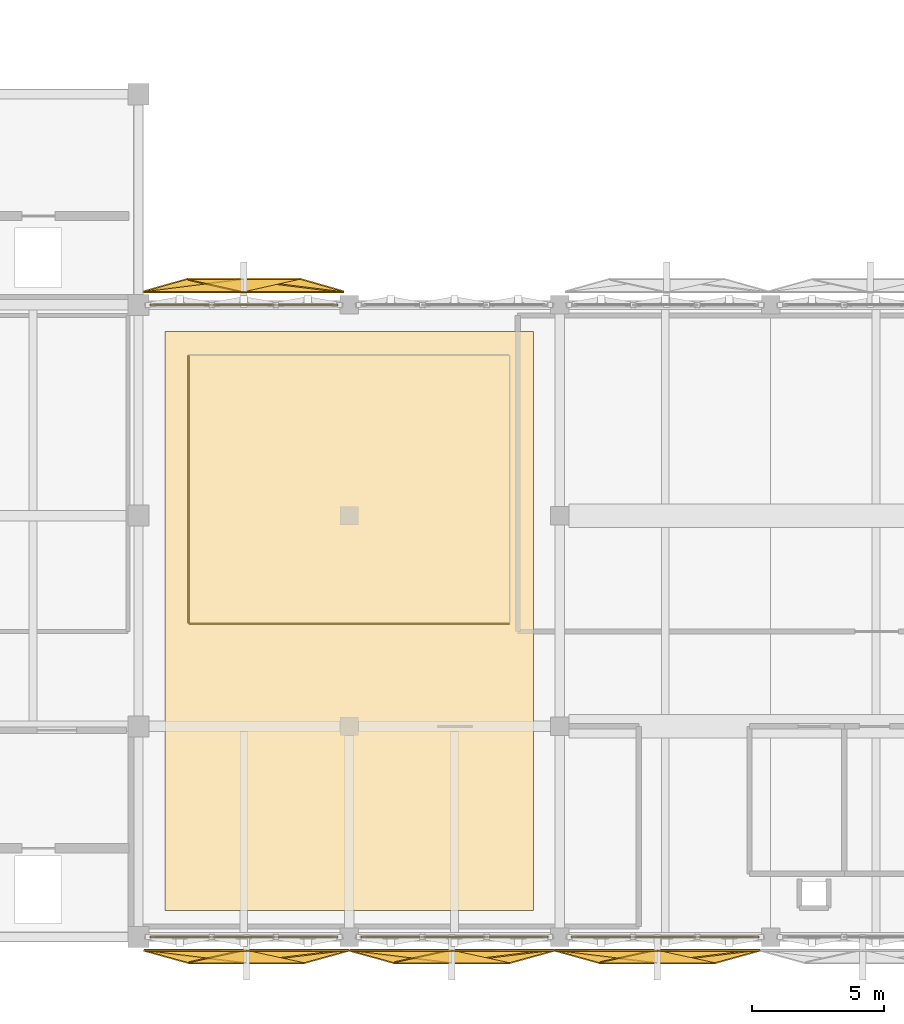
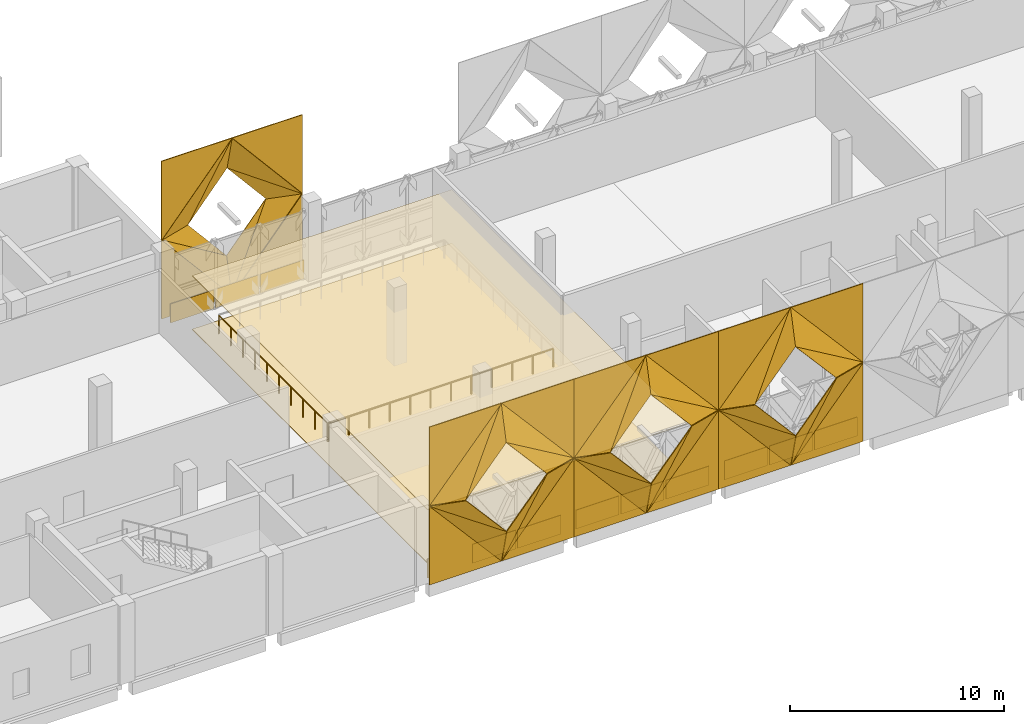
# One storey, part 30 of 37: 62 coverings, 2 railings.
"""IFC4 building model written with IfcOpenShell, lengths in metres."""

from ifc_helpers import new_model, si_unit, direction, frame, origin, origin_2d, place, context, subcontext, project, spatial, polyline, rectangle, circle, outline, extrude, material, layer, layer_set, type_object, element, save


model = new_model("IFC4")

# Units and contexts
model_context = context("Model", 3, precision=1e-05, world=origin(), true_north=direction((0.0, 1.0)))
body_context = subcontext(model_context, "Body", "Model", "MODEL_VIEW")
ifc_project = project(units=[si_unit("LENGTHUNIT", "METRE"), si_unit("AREAUNIT", "SQUARE_METRE"), si_unit("VOLUMEUNIT", "CUBIC_METRE"), si_unit("PLANEANGLEUNIT", "RADIAN"), si_unit("MASSUNIT", "GRAM", prefix="KILO")], contexts=[model_context])

# Site, building, storey
site_placement = place(None, origin())
site = spatial("IfcSite", under=ifc_project, at=site_placement, CompositionType="ELEMENT")
building_placement = place(site_placement, origin())
building = spatial("IfcBuilding", under=site, at=building_placement, Name="Qorikala Patio Media Centre", CompositionType="ELEMENT")
storey_placement = place(building_placement, frame((0.0, 0.0, 14.39990234375)))
storey = spatial("IfcBuildingStorey", under=building, at=storey_placement, Name="L03", CompositionType="ELEMENT", Elevation=14.39990234375)

# Coverings
ifc_material_1 = material(Name="Perforated Andean Timber Acoustic Ceiling", Category="wood")
ifc_layer_1 = layer(ifc_material_1, 0.0400390625)
ifc_layer_set_1 = layer_set([ifc_layer_1], Name="Perforated Andean Timber Acoustic Ceiling")
covering_type_1 = type_object("IfcCoveringType", Name="COV-CEIL-AC", PredefinedType="CEILING", material=ifc_layer_set_1)
covering_1_placement = place(storey_placement, frame((0.0, 0.0, 3.050048828125)))
element("IfcCovering", 1, at=covering_1_placement, inside=storey, type_object=covering_type_1, Name="L03 Acoustic Timber Ceiling 07", PredefinedType="CEILING", context=body_context, shape_type="SweptSolid", body=[
    extrude(outline(polyline([(44.0, 4.0), (58.0, 4.0), (58.0, 26.0), (44.0, 26.0), (44.0, 4.0)])), origin(), (0.0, 0.0, 1.0), 0.0400390625),
])
ifc_material_2 = material(Name="Golden Bronze Anodised Aluminium Panel", Category="aluminium")
ifc_layer_2 = layer(ifc_material_2, 0.044921875)
ifc_layer_set_2 = layer_set([ifc_layer_2], Name="Golden Bronze Anodised Aluminium Panel")
covering_type_2 = type_object("IfcCoveringType", Name="COV-CLAD-GOLD", PredefinedType="CLADDING", material=ifc_layer_set_2)
for number, where, z_axis, x_axis, name in (
    (2, (65.4267578125, 3.0, 0.0), (0.0, 0.0, 1.0), (-1.0, 0.0, 0.0), "L03 Golden Diamond Fold Spandrel 085"),
    (3, (63.0, 3.0, 0.0), (0.0, 0.0, 1.0), (-1.0, 0.0, 0.0), "L03 Golden Diamond Fold Spandrel 086"),
    (4, (60.5732421875, 3.0, 0.0), (0.0, 0.0, 1.0), (-1.0, 0.0, 0.0), "L03 Golden Diamond Fold Spandrel 087"),
    (5, (57.4267578125, 3.0, 0.0), (0.0, 0.0, 1.0), (-1.0, 0.0, 0.0), "L03 Golden Diamond Fold Spandrel 088"),
    (6, (55.0, 3.0, 0.0), (0.0, 0.0, 1.0), (-1.0, 0.0, 0.0), "L03 Golden Diamond Fold Spandrel 089"),
    (7, (52.5732421875, 3.0, 0.0), (0.0, 0.0, 1.0), (-1.0, 0.0, 0.0), "L03 Golden Diamond Fold Spandrel 090"),
    (8, (49.4267578125, 3.0, 0.0), (0.0, 0.0, 1.0), (-1.0, 0.0, 0.0), "L03 Golden Diamond Fold Spandrel 091"),
    (9, (47.0, 3.0, 0.0), (0.0, 0.0, 1.0), (-1.0, 0.0, 0.0), "L03 Golden Diamond Fold Spandrel 092"),
    (10, (44.5732421875, 3.0, 0.0), (0.0, 0.0, 1.0), (-1.0, 0.0, 0.0), "L03 Golden Diamond Fold Spandrel 093"),
    (11, (44.5732421875, 27.0, 0.0), (0.0, 0.0, 1.0), (1.0, 0.0, 0.0), "L03 Golden Diamond Fold Spandrel 094"),
    (12, (47.0, 27.0, 0.0), (0.0, 0.0, 1.0), (1.0, 0.0, 0.0), "L03 Golden Diamond Fold Spandrel 095"),
    (13, (49.4267578125, 27.0, 0.0), (0.0, 0.0, 1.0), (1.0, 0.0, 0.0), "L03 Golden Diamond Fold Spandrel 096"),
):
    element("IfcCovering", number, at=place(storey_placement, frame(where, z_axis=z_axis, x_axis=x_axis)), inside=storey, type_object=covering_type_2, Name=name, PredefinedType="CLADDING", context=body_context, shape_type="SweptSolid", body=[
        extrude(rectangle(XDim=2.32666015625, YDim=0.044921875, at=origin_2d()), origin(), (0.0, 0.0, 1.0), 1.077880859375),
    ])
covering_2_placement = place(storey_placement, frame((47.10009765625, 2.5, 9.0), z_axis=(-0.259956156203, -0.938968048279, 0.22530379749), x_axis=(-0.654944585876, 0.0, -0.755676908098)))
element("IfcCovering", 14, at=covering_2_placement, inside=storey, type_object=covering_type_2, Name="Golden Folded Diamond Facet S-2.1.TLA", PredefinedType="CLADDING", context=body_context, shape_type="SweptSolid", body=[
    extrude(outline(polyline([(0.0, 0.0), (5.954925910503226, 0.0), (4.830998787915266, 1.3810803066312252), (0.0, 0.0)])), origin(), (0.0, 0.0, -1.0), 0.044921875),
])
covering_3_placement = place(storey_placement, frame((47.10009765625, 2.5, 9.0), z_axis=(-0.259960295692, -0.938966460381, 0.225305638952), x_axis=(-0.434683585743, -0.094555584379, -0.895605617305)))
element("IfcCovering", 15, at=covering_3_placement, inside=storey, type_object=covering_type_2, Name="Golden Folded Diamond Facet S-2.1.TLB", PredefinedType="CLADDING", context=body_context, shape_type="SweptSolid", body=[
    extrude(outline(polyline([(0.0, 0.0), (5.024533023297128, 0.0), (1.8182047664907954, 0.9166088951760534), (0.0, 0.0)])), origin(), (0.0, 0.0, -1.0), 0.044921875),
])
covering_4_placement = place(storey_placement, frame((51.0, 2.5, 4.5), z_axis=(0.259973591034, -0.938962979761, 0.225304803775), x_axis=(-0.654921173069, 0.0, 0.755697199324)))
element("IfcCovering", 16, at=covering_4_placement, inside=storey, type_object=covering_type_2, Name="Golden Folded Diamond Facet S-2.1.TRA", PredefinedType="CLADDING", context=body_context, shape_type="SweptSolid", body=[
    extrude(outline(polyline([(0.0, 0.0), (5.9547660147806605, -4.440892098500626e-16), (4.458500319829892, 1.3810247679600853), (0.0, 0.0)])), origin(), (0.0, 0.0, -1.0), 0.044921875),
])
covering_5_placement = place(storey_placement, frame((51.0, 2.5, 4.5), z_axis=(0.25995773344, -0.938973745299, 0.225278233445), x_axis=(-0.83554610606, -0.10178870179, 0.539909033852)))
element("IfcCovering", 17, at=covering_5_placement, inside=storey, type_object=covering_type_2, Name="Golden Folded Diamond Facet S-2.1.TRB", PredefinedType="CLADDING", context=body_context, shape_type="SweptSolid", body=[
    extrude(outline(polyline([(0.0, 0.0), (4.667489101395145, -4.440892098500626e-16), (1.4822105452103993, 0.9867354710967576), (0.0, 0.0)])), origin(), (0.0, 0.0, -1.0), 0.044921875),
])
covering_6_placement = place(storey_placement, frame((47.10009765625, 2.5, 0.0), z_axis=(-0.259956982212, 0.938971031843, 0.225290409823), x_axis=(0.654921173069, 0.0, 0.755697199324)))
element("IfcCovering", 18, at=covering_6_placement, inside=storey, type_object=covering_type_2, Name="Golden Folded Diamond Facet S-2.1.BRA", PredefinedType="CLADDING", context=body_context, shape_type="SweptSolid", body=[
    extrude(outline(polyline([(0.0, 0.0), (5.9547660147806605, -4.440892098500626e-16), (4.830879070078474, -1.38111300253869), (0.0, 0.0)])), origin(), (0.0, 0.0, -1.0), 0.044921875),
])
covering_7_placement = place(storey_placement, frame((47.10009765625, 2.5, 0.0), z_axis=(-0.259987393467, 0.938959366186, 0.225303936695), x_axis=(0.434644175798, -0.094557581454, 0.895624533069)))
element("IfcCovering", 19, at=covering_7_placement, inside=storey, type_object=covering_type_2, Name="Golden Folded Diamond Facet S-2.1.BRB", PredefinedType="CLADDING", context=body_context, shape_type="SweptSolid", body=[
    extrude(outline(polyline([(0.0, 0.0), (5.02442690418556, -2.220446049250313e-16), (1.8182431681390123, -0.9165327168855022), (0.0, 0.0)])), origin(), (0.0, 0.0, -1.0), 0.044921875),
])
covering_8_placement = place(storey_placement, frame((43.199951171875, 2.5, 4.5), z_axis=(0.259958417044, 0.938966952181, 0.22530575696), x_axis=(0.654944585876, 0.0, -0.755676908098)))
element("IfcCovering", 20, at=covering_8_placement, inside=storey, type_object=covering_type_2, Name="Golden Folded Diamond Facet S-2.1.BLA", PredefinedType="CLADDING", context=body_context, shape_type="SweptSolid", body=[
    extrude(outline(polyline([(0.0, 0.0), (5.954925910503226, 0.0), (4.458700391784378, -1.3810682954655882), (0.0, 0.0)])), origin(), (0.0, 0.0, -1.0), 0.044921875),
])
covering_9_placement = place(storey_placement, frame((43.199951171875, 2.5, 4.5), z_axis=(0.259956258476, 0.938968417692, 0.225302139927), x_axis=(0.835561894446, -0.101784253308, -0.539885438152)))
element("IfcCovering", 21, at=covering_9_placement, inside=storey, type_object=covering_type_2, Name="Golden Folded Diamond Facet S-2.1.BLB", PredefinedType="CLADDING", context=body_context, shape_type="SweptSolid", body=[
    extrude(outline(polyline([(0.0, 0.0), (4.667693094071031, -8.881784197001252e-16), (1.4822355256344402, -0.9866979460810914), (0.0, 0.0)])), origin(), (0.0, 0.0, -1.0), 0.044921875),
])
covering_10_placement = place(storey_placement, frame((43.199951171875, 2.5, 9.0), z_axis=(0.0, 1.0, 0.0), x_axis=(1.0, 0.0, 0.0)))
element("IfcCovering", 22, at=covering_10_placement, inside=storey, type_object=covering_type_2, Name="Golden Diamond Valley Spandrel S-2.1.CTL", PredefinedType="CLADDING", context=body_context, shape_type="SweptSolid", body=[
    extrude(outline(polyline([(0.0, 0.0), (3.900146484375, 0.0), (0.0, 4.5), (0.0, 0.0)])), origin(), (0.0, 0.0, -1.0), 0.044921875),
])
covering_11_placement = place(storey_placement, frame((51.0, 2.5, 9.0), z_axis=(0.0, 1.0, 0.0), x_axis=(0.0, 0.0, -1.0)))
element("IfcCovering", 23, at=covering_11_placement, inside=storey, type_object=covering_type_2, Name="Golden Diamond Valley Spandrel S-2.1.CTR", PredefinedType="CLADDING", context=body_context, shape_type="SweptSolid", body=[
    extrude(outline(polyline([(0.0, 0.0), (4.5, 0.0), (0.0, 3.89990234375), (0.0, 0.0)])), origin(), (0.0, 0.0, -1.0), 0.044921875),
])
covering_12_placement = place(storey_placement, frame((51.0, 2.5, 0.0), z_axis=(0.0, 1.0, 0.0), x_axis=(-1.0, 0.0, 0.0)))
element("IfcCovering", 24, at=covering_12_placement, inside=storey, type_object=covering_type_2, Name="Golden Diamond Valley Spandrel S-2.1.CBR", PredefinedType="CLADDING", context=body_context, shape_type="SweptSolid", body=[
    extrude(outline(polyline([(0.0, 0.0), (3.89990234375, 0.0), (0.0, 4.5), (0.0, 0.0)])), origin(), (0.0, 0.0, -1.0), 0.044921875),
])
covering_13_placement = place(storey_placement, frame((43.199951171875, 2.5, 0.0), z_axis=(0.0, 1.0, 0.0), x_axis=(0.0, 0.0, 1.0)))
element("IfcCovering", 25, at=covering_13_placement, inside=storey, type_object=covering_type_2, Name="Golden Diamond Valley Spandrel S-2.1.CBL", PredefinedType="CLADDING", context=body_context, shape_type="SweptSolid", body=[
    extrude(outline(polyline([(0.0, 0.0), (4.5, 0.0), (0.0, 3.900146484375), (0.0, 0.0)])), origin(), (0.0, 0.0, -1.0), 0.044921875),
])
covering_14_placement = place(storey_placement, frame((54.89990234375, 2.5, 9.0), z_axis=(-0.259956982212, -0.938971031843, 0.225290409823), x_axis=(-0.654921173069, 0.0, -0.755697199324)))
element("IfcCovering", 26, at=covering_14_placement, inside=storey, type_object=covering_type_2, Name="Golden Folded Diamond Facet S-2.2.TLA", PredefinedType="CLADDING", context=body_context, shape_type="SweptSolid", body=[
    extrude(outline(polyline([(0.0, 0.0), (5.9547660147806605, 4.440892098500626e-16), (4.830879070078474, 1.38111300253869), (0.0, 0.0)])), origin(), (0.0, 0.0, -1.0), 0.044921875),
])
covering_15_placement = place(storey_placement, frame((54.89990234375, 2.5, 9.0), z_axis=(-0.259987393467, -0.938959366186, 0.225303936695), x_axis=(-0.434644175798, -0.094557581454, -0.895624533069)))
element("IfcCovering", 27, at=covering_15_placement, inside=storey, type_object=covering_type_2, Name="Golden Folded Diamond Facet S-2.2.TLB", PredefinedType="CLADDING", context=body_context, shape_type="SweptSolid", body=[
    extrude(outline(polyline([(0.0, 0.0), (5.02442690418556, 2.220446049250313e-16), (1.8182431681390123, 0.9165327168855022), (0.0, 0.0)])), origin(), (0.0, 0.0, -1.0), 0.044921875),
])
covering_16_placement = place(storey_placement, frame((58.800048828125, 2.5, 4.5), z_axis=(0.259958417044, -0.938966952181, 0.22530575696), x_axis=(-0.654944585876, 0.0, 0.755676908098)))
element("IfcCovering", 28, at=covering_16_placement, inside=storey, type_object=covering_type_2, Name="Golden Folded Diamond Facet S-2.2.TRA", PredefinedType="CLADDING", context=body_context, shape_type="SweptSolid", body=[
    extrude(outline(polyline([(0.0, 0.0), (5.954925910503226, 0.0), (4.458700391784378, 1.3810682954655882), (0.0, 0.0)])), origin(), (0.0, 0.0, -1.0), 0.044921875),
])
covering_17_placement = place(storey_placement, frame((58.800048828125, 2.5, 4.5), z_axis=(0.259956258476, -0.938968417692, 0.225302139927), x_axis=(-0.835561894446, -0.101784253308, 0.539885438152)))
element("IfcCovering", 29, at=covering_17_placement, inside=storey, type_object=covering_type_2, Name="Golden Folded Diamond Facet S-2.2.TRB", PredefinedType="CLADDING", context=body_context, shape_type="SweptSolid", body=[
    extrude(outline(polyline([(0.0, 0.0), (4.667693094071031, 8.881784197001252e-16), (1.4822355256344402, 0.9866979460810914), (0.0, 0.0)])), origin(), (0.0, 0.0, -1.0), 0.044921875),
])
covering_18_placement = place(storey_placement, frame((54.89990234375, 2.5, 0.0), z_axis=(-0.259956156203, 0.938968048279, 0.22530379749), x_axis=(0.654944585876, 0.0, 0.755676908098)))
element("IfcCovering", 30, at=covering_18_placement, inside=storey, type_object=covering_type_2, Name="Golden Folded Diamond Facet S-2.2.BRA", PredefinedType="CLADDING", context=body_context, shape_type="SweptSolid", body=[
    extrude(outline(polyline([(0.0, 0.0), (5.954925910503226, 0.0), (4.830998787915266, -1.3810803066312252), (0.0, 0.0)])), origin(), (0.0, 0.0, -1.0), 0.044921875),
])
covering_19_placement = place(storey_placement, frame((54.89990234375, 2.5, 0.0), z_axis=(-0.259960295692, 0.938966460381, 0.225305638952), x_axis=(0.434683585743, -0.094555584379, 0.895605617305)))
element("IfcCovering", 31, at=covering_19_placement, inside=storey, type_object=covering_type_2, Name="Golden Folded Diamond Facet S-2.2.BRB", PredefinedType="CLADDING", context=body_context, shape_type="SweptSolid", body=[
    extrude(outline(polyline([(0.0, 0.0), (5.024533023297128, 0.0), (1.8182047664907954, -0.9166088951760534), (0.0, 0.0)])), origin(), (0.0, 0.0, -1.0), 0.044921875),
])
covering_20_placement = place(storey_placement, frame((51.0, 2.5, 4.5), z_axis=(0.259973591034, 0.938962979761, 0.225304803775), x_axis=(0.654921173069, 0.0, -0.755697199324)))
element("IfcCovering", 32, at=covering_20_placement, inside=storey, type_object=covering_type_2, Name="Golden Folded Diamond Facet S-2.2.BLA", PredefinedType="CLADDING", context=body_context, shape_type="SweptSolid", body=[
    extrude(outline(polyline([(0.0, 0.0), (5.9547660147806605, 4.440892098500626e-16), (4.458500319829892, -1.3810247679600853), (0.0, 0.0)])), origin(), (0.0, 0.0, -1.0), 0.044921875),
])
covering_21_placement = place(storey_placement, frame((51.0, 2.5, 4.5), z_axis=(0.25995773344, 0.938973745299, 0.225278233445), x_axis=(0.83554610606, -0.10178870179, -0.539909033852)))
element("IfcCovering", 33, at=covering_21_placement, inside=storey, type_object=covering_type_2, Name="Golden Folded Diamond Facet S-2.2.BLB", PredefinedType="CLADDING", context=body_context, shape_type="SweptSolid", body=[
    extrude(outline(polyline([(0.0, 0.0), (4.667489101395145, 4.440892098500626e-16), (1.4822105452103993, -0.9867354710967576), (0.0, 0.0)])), origin(), (0.0, 0.0, -1.0), 0.044921875),
])
covering_22_placement = place(storey_placement, frame((51.0, 2.5, 9.0), z_axis=(0.0, 1.0, 0.0), x_axis=(1.0, 0.0, 0.0)))
element("IfcCovering", 34, at=covering_22_placement, inside=storey, type_object=covering_type_2, Name="Golden Diamond Valley Spandrel S-2.2.CTL", PredefinedType="CLADDING", context=body_context, shape_type="SweptSolid", body=[
    extrude(outline(polyline([(0.0, 0.0), (3.89990234375, 0.0), (0.0, 4.5), (0.0, 0.0)])), origin(), (0.0, 0.0, -1.0), 0.044921875),
])
covering_23_placement = place(storey_placement, frame((58.800048828125, 2.5, 9.0), z_axis=(0.0, 1.0, 0.0), x_axis=(0.0, 0.0, -1.0)))
element("IfcCovering", 35, at=covering_23_placement, inside=storey, type_object=covering_type_2, Name="Golden Diamond Valley Spandrel S-2.2.CTR", PredefinedType="CLADDING", context=body_context, shape_type="SweptSolid", body=[
    extrude(outline(polyline([(0.0, 0.0), (4.5, 0.0), (0.0, 3.900146484375), (0.0, 0.0)])), origin(), (0.0, 0.0, -1.0), 0.044921875),
])
covering_24_placement = place(storey_placement, frame((58.800048828125, 2.5, 0.0), z_axis=(0.0, 1.0, 0.0), x_axis=(-1.0, 0.0, 0.0)))
element("IfcCovering", 36, at=covering_24_placement, inside=storey, type_object=covering_type_2, Name="Golden Diamond Valley Spandrel S-2.2.CBR", PredefinedType="CLADDING", context=body_context, shape_type="SweptSolid", body=[
    extrude(outline(polyline([(0.0, 0.0), (3.900146484375, 0.0), (0.0, 4.5), (0.0, 0.0)])), origin(), (0.0, 0.0, -1.0), 0.044921875),
])
covering_25_placement = place(storey_placement, frame((51.0, 2.5, 0.0), z_axis=(0.0, 1.0, 0.0), x_axis=(0.0, 0.0, 1.0)))
element("IfcCovering", 37, at=covering_25_placement, inside=storey, type_object=covering_type_2, Name="Golden Diamond Valley Spandrel S-2.2.CBL", PredefinedType="CLADDING", context=body_context, shape_type="SweptSolid", body=[
    extrude(outline(polyline([(0.0, 0.0), (4.5, 0.0), (0.0, 3.89990234375), (0.0, 0.0)])), origin(), (0.0, 0.0, -1.0), 0.044921875),
])
covering_26_placement = place(storey_placement, frame((62.699951171875, 2.5, 9.0), z_axis=(-0.259956982212, -0.938971031843, 0.225290409823), x_axis=(-0.654921173069, 0.0, -0.755697199324)))
element("IfcCovering", 38, at=covering_26_placement, inside=storey, type_object=covering_type_2, Name="Golden Folded Diamond Facet S-2.3.TLA", PredefinedType="CLADDING", context=body_context, shape_type="SweptSolid", body=[
    extrude(outline(polyline([(0.0, 0.0), (5.9547660147806605, 4.440892098500626e-16), (4.830879070078474, 1.38111300253869), (0.0, 0.0)])), origin(), (0.0, 0.0, -1.0), 0.044921875),
])
covering_27_placement = place(storey_placement, frame((62.699951171875, 2.5, 9.0), z_axis=(-0.259987393467, -0.938959366186, 0.225303936695), x_axis=(-0.434644175798, -0.094557581454, -0.895624533069)))
element("IfcCovering", 39, at=covering_27_placement, inside=storey, type_object=covering_type_2, Name="Golden Folded Diamond Facet S-2.3.TLB", PredefinedType="CLADDING", context=body_context, shape_type="SweptSolid", body=[
    extrude(outline(polyline([(0.0, 0.0), (5.02442690418556, 2.220446049250313e-16), (1.8182431681390123, 0.9165327168855022), (0.0, 0.0)])), origin(), (0.0, 0.0, -1.0), 0.044921875),
])
covering_28_placement = place(storey_placement, frame((66.60009765625, 2.5, 4.5), z_axis=(0.259958417044, -0.938966952181, 0.22530575696), x_axis=(-0.654944585876, 0.0, 0.755676908098)))
element("IfcCovering", 40, at=covering_28_placement, inside=storey, type_object=covering_type_2, Name="Golden Folded Diamond Facet S-2.3.TRA", PredefinedType="CLADDING", context=body_context, shape_type="SweptSolid", body=[
    extrude(outline(polyline([(0.0, 0.0), (5.954925910503226, 0.0), (4.458700391784378, 1.3810682954655882), (0.0, 0.0)])), origin(), (0.0, 0.0, -1.0), 0.044921875),
])
covering_29_placement = place(storey_placement, frame((66.60009765625, 2.5, 4.5), z_axis=(0.259956258476, -0.938968417692, 0.225302139927), x_axis=(-0.835561894446, -0.101784253308, 0.539885438152)))
element("IfcCovering", 41, at=covering_29_placement, inside=storey, type_object=covering_type_2, Name="Golden Folded Diamond Facet S-2.3.TRB", PredefinedType="CLADDING", context=body_context, shape_type="SweptSolid", body=[
    extrude(outline(polyline([(0.0, 0.0), (4.667693094071031, 8.881784197001252e-16), (1.4822355256344402, 0.9866979460810914), (0.0, 0.0)])), origin(), (0.0, 0.0, -1.0), 0.044921875),
])
covering_30_placement = place(storey_placement, frame((62.699951171875, 2.5, 0.0), z_axis=(-0.259956156203, 0.938968048279, 0.22530379749), x_axis=(0.654944585876, 0.0, 0.755676908098)))
element("IfcCovering", 42, at=covering_30_placement, inside=storey, type_object=covering_type_2, Name="Golden Folded Diamond Facet S-2.3.BRA", PredefinedType="CLADDING", context=body_context, shape_type="SweptSolid", body=[
    extrude(outline(polyline([(0.0, 0.0), (5.954925910503226, 0.0), (4.830998787915266, -1.3810803066312252), (0.0, 0.0)])), origin(), (0.0, 0.0, -1.0), 0.044921875),
])
covering_31_placement = place(storey_placement, frame((62.699951171875, 2.5, 0.0), z_axis=(-0.259960295692, 0.938966460381, 0.225305638952), x_axis=(0.434683585743, -0.094555584379, 0.895605617305)))
element("IfcCovering", 43, at=covering_31_placement, inside=storey, type_object=covering_type_2, Name="Golden Folded Diamond Facet S-2.3.BRB", PredefinedType="CLADDING", context=body_context, shape_type="SweptSolid", body=[
    extrude(outline(polyline([(0.0, 0.0), (5.024533023297128, 0.0), (1.8182047664907954, -0.9166088951760534), (0.0, 0.0)])), origin(), (0.0, 0.0, -1.0), 0.044921875),
])
covering_32_placement = place(storey_placement, frame((58.800048828125, 2.5, 4.5), z_axis=(0.259973591034, 0.938962979761, 0.225304803775), x_axis=(0.654921173069, 0.0, -0.755697199324)))
element("IfcCovering", 44, at=covering_32_placement, inside=storey, type_object=covering_type_2, Name="Golden Folded Diamond Facet S-2.3.BLA", PredefinedType="CLADDING", context=body_context, shape_type="SweptSolid", body=[
    extrude(outline(polyline([(0.0, 0.0), (5.9547660147806605, 4.440892098500626e-16), (4.458500319829892, -1.3810247679600853), (0.0, 0.0)])), origin(), (0.0, 0.0, -1.0), 0.044921875),
])
covering_33_placement = place(storey_placement, frame((58.800048828125, 2.5, 4.5), z_axis=(0.25995773344, 0.938973745299, 0.225278233445), x_axis=(0.83554610606, -0.10178870179, -0.539909033852)))
element("IfcCovering", 45, at=covering_33_placement, inside=storey, type_object=covering_type_2, Name="Golden Folded Diamond Facet S-2.3.BLB", PredefinedType="CLADDING", context=body_context, shape_type="SweptSolid", body=[
    extrude(outline(polyline([(0.0, 0.0), (4.667489101395145, 4.440892098500626e-16), (1.4822105452103993, -0.9867354710967576), (0.0, 0.0)])), origin(), (0.0, 0.0, -1.0), 0.044921875),
])
covering_34_placement = place(storey_placement, frame((58.800048828125, 2.5, 9.0), z_axis=(0.0, 1.0, 0.0), x_axis=(1.0, 0.0, 0.0)))
element("IfcCovering", 46, at=covering_34_placement, inside=storey, type_object=covering_type_2, Name="Golden Diamond Valley Spandrel S-2.3.CTL", PredefinedType="CLADDING", context=body_context, shape_type="SweptSolid", body=[
    extrude(outline(polyline([(0.0, 0.0), (3.89990234375, 0.0), (0.0, 4.5), (0.0, 0.0)])), origin(), (0.0, 0.0, -1.0), 0.044921875),
])
covering_35_placement = place(storey_placement, frame((66.60009765625, 2.5, 9.0), z_axis=(0.0, 1.0, 0.0), x_axis=(0.0, 0.0, -1.0)))
element("IfcCovering", 47, at=covering_35_placement, inside=storey, type_object=covering_type_2, Name="Golden Diamond Valley Spandrel S-2.3.CTR", PredefinedType="CLADDING", context=body_context, shape_type="SweptSolid", body=[
    extrude(outline(polyline([(0.0, 0.0), (4.5, 0.0), (0.0, 3.900146484375), (0.0, 0.0)])), origin(), (0.0, 0.0, -1.0), 0.044921875),
])
covering_36_placement = place(storey_placement, frame((66.60009765625, 2.5, 0.0), z_axis=(0.0, 1.0, 0.0), x_axis=(-1.0, 0.0, 0.0)))
element("IfcCovering", 48, at=covering_36_placement, inside=storey, type_object=covering_type_2, Name="Golden Diamond Valley Spandrel S-2.3.CBR", PredefinedType="CLADDING", context=body_context, shape_type="SweptSolid", body=[
    extrude(outline(polyline([(0.0, 0.0), (3.900146484375, 0.0), (0.0, 4.5), (0.0, 0.0)])), origin(), (0.0, 0.0, -1.0), 0.044921875),
])
covering_37_placement = place(storey_placement, frame((58.800048828125, 2.5, 0.0), z_axis=(0.0, 1.0, 0.0), x_axis=(0.0, 0.0, 1.0)))
element("IfcCovering", 49, at=covering_37_placement, inside=storey, type_object=covering_type_2, Name="Golden Diamond Valley Spandrel S-2.3.CBL", PredefinedType="CLADDING", context=body_context, shape_type="SweptSolid", body=[
    extrude(outline(polyline([(0.0, 0.0), (4.5, 0.0), (0.0, 3.89990234375), (0.0, 0.0)])), origin(), (0.0, 0.0, -1.0), 0.044921875),
])
covering_38_placement = place(storey_placement, frame((47.0, 27.5, 9.0), z_axis=(-0.266310151907, 0.937285832689, 0.224887017927), x_axis=(-0.645185657155, 0.0, -0.764025829276)))
element("IfcCovering", 50, at=covering_38_placement, inside=storey, type_object=covering_type_2, Name="Golden Folded Diamond Facet NW-2.1.TLA", PredefinedType="CLADDING", context=body_context, shape_type="SweptSolid", body=[
    extrude(outline(polyline([(0.0, 0.0), (5.889853232138657, 4.440892098500626e-16), (4.811025945552745, -1.3630230699208319), (0.0, 0.0)])), origin(), (0.0, 0.0, -1.0), 0.044921875),
])
covering_39_placement = place(storey_placement, frame((47.0, 27.5, 9.0), z_axis=(-0.266339397274, 0.937274491768, 0.224899649936), x_axis=(-0.425553575058, 0.095012305767, -0.899931562125)))
element("IfcCovering", 51, at=covering_39_placement, inside=storey, type_object=covering_type_2, Name="Golden Folded Diamond Facet NW-2.1.TLB", PredefinedType="CLADDING", context=body_context, shape_type="SweptSolid", body=[
    extrude(outline(polyline([(0.0, 0.0), (5.000380239333614, 0.0), (1.826987040002926, -0.8989765265384069), (0.0, 0.0)])), origin(), (0.0, 0.0, -1.0), 0.044921875),
])
covering_40_placement = place(storey_placement, frame((50.800048828125, 27.5, 4.5), z_axis=(0.266326124041, 0.937278058101, 0.22490050568), x_axis=(-0.645185657155, 0.0, 0.764025829276)))
element("IfcCovering", 52, at=covering_40_placement, inside=storey, type_object=covering_type_2, Name="Golden Folded Diamond Facet NW-2.1.TRA", PredefinedType="CLADDING", context=body_context, shape_type="SweptSolid", body=[
    extrude(outline(polyline([(0.0, 0.0), (5.889853232138657, 4.440892098500626e-16), (4.377097012551207, -1.3629413265820354), (0.0, 0.0)])), origin(), (0.0, 0.0, -1.0), 0.044921875),
])
covering_41_placement = place(storey_placement, frame((50.800048828125, 27.5, 4.5), z_axis=(0.266310874344, 0.937288375326, 0.224875564889), x_axis=(-0.82891133566, 0.103633887517, 0.549696293395)))
element("IfcCovering", 53, at=covering_41_placement, inside=storey, type_object=covering_type_2, Name="Golden Folded Diamond Facet NW-2.1.TRB", PredefinedType="CLADDING", context=body_context, shape_type="SweptSolid", body=[
    extrude(outline(polyline([(0.0, 0.0), (4.584385162373456, -4.440892098500626e-16), (1.4352747273060922, -0.9806562397574161), (0.0, 0.0)])), origin(), (0.0, 0.0, -1.0), 0.044921875),
])
covering_42_placement = place(storey_placement, frame((47.0, 27.5, 0.0), z_axis=(-0.266310151907, -0.937285832689, 0.224887017927), x_axis=(0.645185657155, 0.0, 0.764025829276)))
element("IfcCovering", 54, at=covering_42_placement, inside=storey, type_object=covering_type_2, Name="Golden Folded Diamond Facet NW-2.1.BRA", PredefinedType="CLADDING", context=body_context, shape_type="SweptSolid", body=[
    extrude(outline(polyline([(0.0, 0.0), (5.889853232138657, -4.440892098500626e-16), (4.811025945552745, 1.3630230699208319), (0.0, 0.0)])), origin(), (0.0, 0.0, -1.0), 0.044921875),
])
covering_43_placement = place(storey_placement, frame((47.0, 27.5, 0.0), z_axis=(-0.266339397274, -0.937274491768, 0.224899649936), x_axis=(0.425553575058, 0.095012305767, 0.899931562125)))
element("IfcCovering", 55, at=covering_43_placement, inside=storey, type_object=covering_type_2, Name="Golden Folded Diamond Facet NW-2.1.BRB", PredefinedType="CLADDING", context=body_context, shape_type="SweptSolid", body=[
    extrude(outline(polyline([(0.0, 0.0), (5.000380239333614, 0.0), (1.826987040002926, 0.8989765265384069), (0.0, 0.0)])), origin(), (0.0, 0.0, -1.0), 0.044921875),
])
covering_44_placement = place(storey_placement, frame((43.199951171875, 27.5, 4.5), z_axis=(0.266326124041, -0.937278058101, 0.22490050568), x_axis=(0.645185657155, 0.0, -0.764025829276)))
element("IfcCovering", 56, at=covering_44_placement, inside=storey, type_object=covering_type_2, Name="Golden Folded Diamond Facet NW-2.1.BLA", PredefinedType="CLADDING", context=body_context, shape_type="SweptSolid", body=[
    extrude(outline(polyline([(0.0, 0.0), (5.889853232138657, -4.440892098500626e-16), (4.377097012551207, 1.3629413265820354), (0.0, 0.0)])), origin(), (0.0, 0.0, -1.0), 0.044921875),
])
covering_45_placement = place(storey_placement, frame((43.199951171875, 27.5, 4.5), z_axis=(0.266310874344, -0.937288375326, 0.224875564889), x_axis=(0.82891133566, 0.103633887517, -0.549696293395)))
element("IfcCovering", 57, at=covering_45_placement, inside=storey, type_object=covering_type_2, Name="Golden Folded Diamond Facet NW-2.1.BLB", PredefinedType="CLADDING", context=body_context, shape_type="SweptSolid", body=[
    extrude(outline(polyline([(0.0, 0.0), (4.584385162373456, 4.440892098500626e-16), (1.4352747273060922, 0.9806562397574161), (0.0, 0.0)])), origin(), (0.0, 0.0, -1.0), 0.044921875),
])
covering_46_placement = place(storey_placement, frame((43.199951171875, 27.5, 9.0), z_axis=(0.0, 1.0, 0.0), x_axis=(1.0, 0.0, 0.0)))
element("IfcCovering", 58, at=covering_46_placement, inside=storey, type_object=covering_type_2, Name="Golden Diamond Valley Spandrel NW-2.1.CTL", PredefinedType="CLADDING", context=body_context, shape_type="SweptSolid", body=[
    extrude(outline(polyline([(0.0, 0.0), (3.800048828125, 0.0), (0.0, 4.5), (0.0, 0.0)])), origin(), (0.0, 0.0, -1.0), 0.044921875),
])
covering_47_placement = place(storey_placement, frame((50.800048828125, 27.5, 9.0), z_axis=(0.0, 1.0, 0.0), x_axis=(0.0, 0.0, -1.0)))
element("IfcCovering", 59, at=covering_47_placement, inside=storey, type_object=covering_type_2, Name="Golden Diamond Valley Spandrel NW-2.1.CTR", PredefinedType="CLADDING", context=body_context, shape_type="SweptSolid", body=[
    extrude(outline(polyline([(0.0, 0.0), (4.5, 0.0), (0.0, 3.800048828125), (0.0, 0.0)])), origin(), (0.0, 0.0, -1.0), 0.044921875),
])
covering_48_placement = place(storey_placement, frame((50.800048828125, 27.5, 0.0), z_axis=(0.0, 1.0, 0.0), x_axis=(-1.0, 0.0, 0.0)))
element("IfcCovering", 60, at=covering_48_placement, inside=storey, type_object=covering_type_2, Name="Golden Diamond Valley Spandrel NW-2.1.CBR", PredefinedType="CLADDING", context=body_context, shape_type="SweptSolid", body=[
    extrude(outline(polyline([(0.0, 0.0), (3.800048828125, 0.0), (0.0, 4.5), (0.0, 0.0)])), origin(), (0.0, 0.0, -1.0), 0.044921875),
])
covering_49_placement = place(storey_placement, frame((43.199951171875, 27.5, 0.0), z_axis=(0.0, 1.0, 0.0), x_axis=(0.0, 0.0, 1.0)))
element("IfcCovering", 61, at=covering_49_placement, inside=storey, type_object=covering_type_2, Name="Golden Diamond Valley Spandrel NW-2.1.CBL", PredefinedType="CLADDING", context=body_context, shape_type="SweptSolid", body=[
    extrude(outline(polyline([(0.0, 0.0), (4.5, 0.0), (0.0, 3.800048828125), (0.0, 0.0)])), origin(), (0.0, 0.0, -1.0), 0.044921875),
])
ifc_material_3 = material(Name="Honed Comanche Granite Flooring", Category="masonry")
ifc_layer_3 = layer(ifc_material_3, 0.034912109375)
ifc_layer_set_3 = layer_set([ifc_layer_3], Name="Honed Comanche Granite Flooring")
covering_type_3 = type_object("IfcCoveringType", Name="COV-FLOR-STONE", PredefinedType="FLOORING", material=ifc_layer_set_3)
covering_50_placement = place(storey_placement, origin())
element("IfcCovering", 62, at=covering_50_placement, inside=storey, type_object=covering_type_3, Name="L03 Honed Comanche Granite Flooring 07", PredefinedType="FLOORING", context=body_context, shape_type="SweptSolid", body=[
    extrude(outline(polyline([(44.0, 4.0), (58.0, 4.0), (58.0, 26.0), (44.0, 26.0), (44.0, 4.0)])), origin(), (0.0, 0.0, 1.0), 0.03515625),
])

# Railings
ifc_material_4 = material(Name="Wrought Bronze and Steel S355", Category="steel")
railing_type = type_object("IfcRailingType", Name="RL-GUARD-110", PredefinedType="GUARDRAIL", material=ifc_material_4)
railing_1_placement = place(storey_placement, frame((44.93994140625, 14.89990234375, 0.0)))
element("IfcRailing", 63, at=railing_1_placement, inside=storey, type_object=railing_type, Name="L03 Rising Foyer Void Guardrail S", PredefinedType="GUARDRAIL", context=body_context, shape_type="SweptSolid", body=[
    extrude(circle(Radius=0.02392578125, at=origin_2d()), frame((0.0, 0.0, 1.076171875), z_axis=(1.0, 0.0, 0.0), x_axis=(0.0, 1.0, 0.0)), (0.0, 0.0, 1.0), 12.1201171875),
    extrude(circle(Radius=0.02099609375, at=origin_2d()), origin(), (0.0, 0.0, 1.0), 1.052001953125),
    extrude(circle(Radius=0.02099609375, at=origin_2d()), frame((1.101806640625, 0.0, 0.0)), (0.0, 0.0, 1.0), 1.052001953125),
    extrude(circle(Radius=0.02099609375, at=origin_2d()), frame((2.20361328125, 0.0, 0.0)), (0.0, 0.0, 1.0), 1.052001953125),
    extrude(circle(Radius=0.02099609375, at=origin_2d()), frame((3.305419921875, 0.0, 0.0)), (0.0, 0.0, 1.0), 1.052001953125),
    extrude(circle(Radius=0.02099609375, at=origin_2d()), frame((4.4072265625, 0.0, 0.0)), (0.0, 0.0, 1.0), 1.052001953125),
    extrude(circle(Radius=0.02099609375, at=origin_2d()), frame((5.509033203125, 0.0, 0.0)), (0.0, 0.0, 1.0), 1.052001953125),
    extrude(circle(Radius=0.02099609375, at=origin_2d()), frame((6.611083984375, 0.0, 0.0)), (0.0, 0.0, 1.0), 1.052001953125),
    extrude(circle(Radius=0.02099609375, at=origin_2d()), frame((7.712890625, 0.0, 0.0)), (0.0, 0.0, 1.0), 1.052001953125),
    extrude(circle(Radius=0.02099609375, at=origin_2d()), frame((8.814697265625, 0.0, 0.0)), (0.0, 0.0, 1.0), 1.052001953125),
    extrude(circle(Radius=0.02099609375, at=origin_2d()), frame((9.91650390625, 0.0, 0.0)), (0.0, 0.0, 1.0), 1.052001953125),
    extrude(circle(Radius=0.02099609375, at=origin_2d()), frame((11.018310546875, 0.0, 0.0)), (0.0, 0.0, 1.0), 1.052001953125),
    extrude(circle(Radius=0.02099609375, at=origin_2d()), frame((12.1201171875, 0.0, 0.0)), (0.0, 0.0, 1.0), 1.052001953125),
])
railing_2_placement = place(storey_placement, frame((44.89990234375, 25.06005859375, 0.0)))
element("IfcRailing", 64, at=railing_2_placement, inside=storey, type_object=railing_type, Name="L03 Rising Foyer Void Guardrail W", PredefinedType="GUARDRAIL", context=body_context, shape_type="SweptSolid", body=[
    extrude(circle(Radius=0.02392578125, at=origin_2d()), frame((0.0, 0.0, 1.076171875), z_axis=(0.0, -1.0, 0.0), x_axis=(1.0, 0.0, 0.0)), (0.0, 0.0, 1.0), 10.1201171875),
    extrude(circle(Radius=0.02099609375, at=origin_2d()), origin(), (0.0, 0.0, 1.0), 1.052001953125),
    extrude(circle(Radius=0.02099609375, at=origin_2d()), frame((0.0, -1.12451171875, 0.0)), (0.0, 0.0, 1.0), 1.052001953125),
    extrude(circle(Radius=0.02099609375, at=origin_2d()), frame((0.0, -2.2490234375, 0.0)), (0.0, 0.0, 1.0), 1.052001953125),
    extrude(circle(Radius=0.02099609375, at=origin_2d()), frame((0.0, -3.373291015625, 0.0)), (0.0, 0.0, 1.0), 1.052001953125),
    extrude(circle(Radius=0.02099609375, at=origin_2d()), frame((0.0, -4.497802734375, 0.0)), (0.0, 0.0, 1.0), 1.052001953125),
    extrude(circle(Radius=0.02099609375, at=origin_2d()), frame((0.0, -5.622314453125, 0.0)), (0.0, 0.0, 1.0), 1.052001953125),
    extrude(circle(Radius=0.02099609375, at=origin_2d()), frame((0.0, -6.746826171875, 0.0)), (0.0, 0.0, 1.0), 1.052001953125),
    extrude(circle(Radius=0.02099609375, at=origin_2d()), frame((0.0, -7.87109375, 0.0)), (0.0, 0.0, 1.0), 1.052001953125),
    extrude(circle(Radius=0.02099609375, at=origin_2d()), frame((0.0, -8.99560546875, 0.0)), (0.0, 0.0, 1.0), 1.052001953125),
    extrude(circle(Radius=0.02099609375, at=origin_2d()), frame((0.0, -10.1201171875, 0.0)), (0.0, 0.0, 1.0), 1.052001953125),
])

save(model, "model.ifc")
